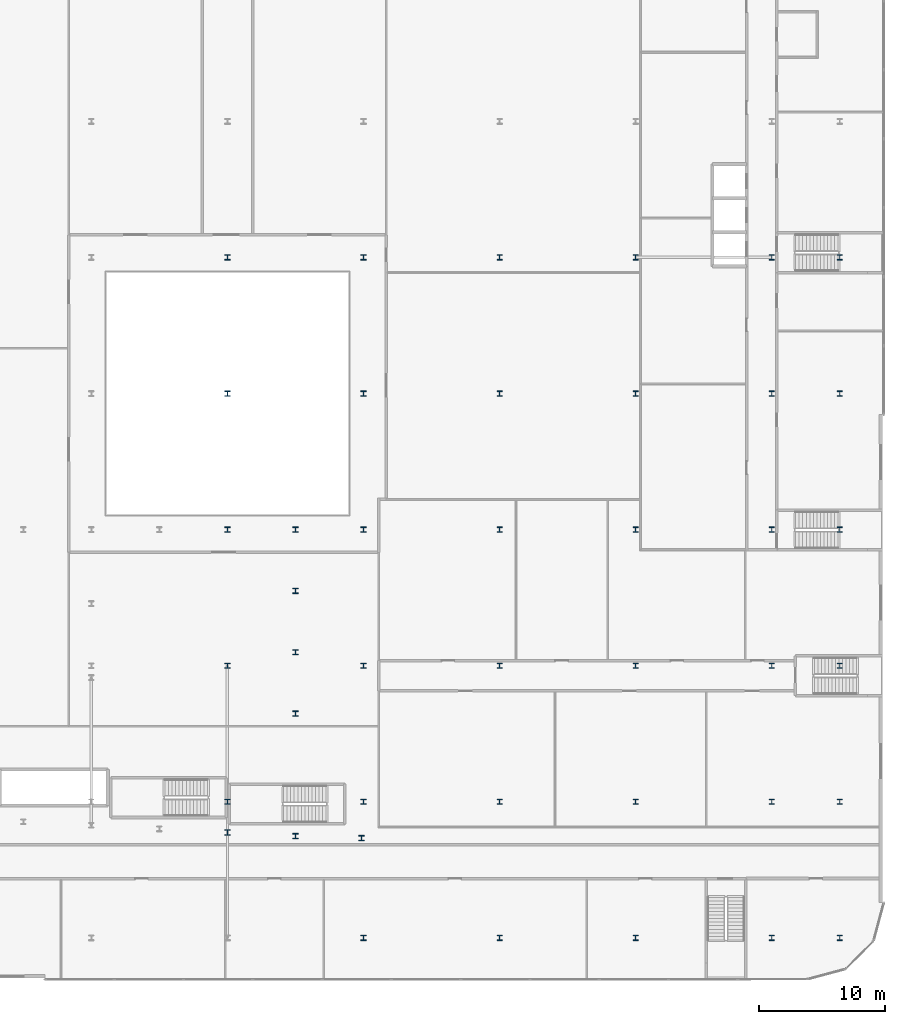
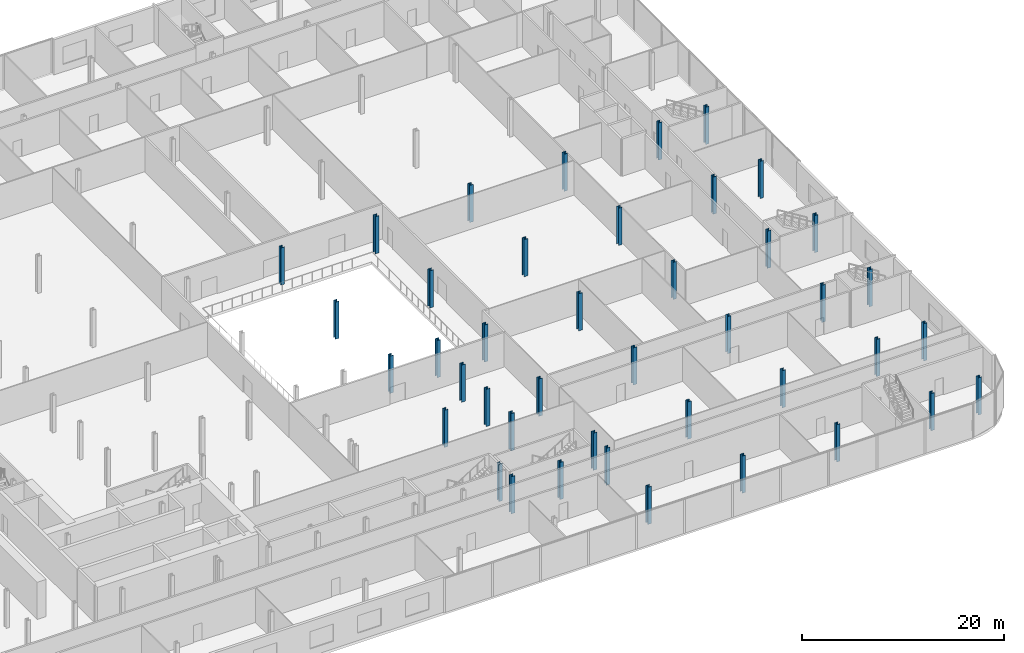
# One storey, part 3 of 47: 42 columns.
"""IFC4 building model written with IfcOpenShell, lengths in metres."""

from ifc_helpers import new_model, si_unit, direction, frame, origin, origin_2d, place, context, subcontext, project, spatial, i_section, extrude, material, material_profile, profile_set, type_object, element, save


model = new_model("IFC4")

# Units and contexts
model_context = context("Model", 3, precision=1e-05, world=origin(), true_north=direction((0.0, 1.0)))
body_context = subcontext(model_context, "Body", "Model", "MODEL_VIEW")
ifc_project = project(units=[si_unit("LENGTHUNIT", "METRE"), si_unit("AREAUNIT", "SQUARE_METRE"), si_unit("VOLUMEUNIT", "CUBIC_METRE"), si_unit("PLANEANGLEUNIT", "RADIAN"), si_unit("MASSUNIT", "GRAM", prefix="KILO")], contexts=[model_context])

# Site, building, storey
site_placement = place(None, origin())
site = spatial("IfcSite", under=ifc_project, at=site_placement, CompositionType="ELEMENT")
building_placement = place(site_placement, origin())
building = spatial("IfcBuilding", under=site, at=building_placement, Name="Kheshtan School and Residences Tower", CompositionType="ELEMENT")
storey_placement = place(building_placement, frame((0.0, 0.0, 17.0)))
storey = spatial("IfcBuildingStorey", under=building, at=storey_placement, Name="L03", CompositionType="ELEMENT", Elevation=17.0)

# Columns
ifc_material = material(Name="Steel ASTM A992 Grade 50", Category="steel")
ifc_material_profile = material_profile(ifc_material, i_section(OverallWidth=0.408935546875, OverallDepth=0.425048828125, WebThickness=0.03271484375, FlangeThickness=0.052490234375, FilletRadius=0.0126953125, at=origin_2d()), Name="W360x421")
ifc_profile_set = profile_set([ifc_material_profile], Name="Steel ASTM A992 Grade 50")
column_type = type_object("IfcColumnType", Name="Column PC2 W360x421 ASTM A992 Grade 50", PredefinedType="COLUMN", material=ifc_profile_set)
for number, where, z_axis, x_axis, name in (
    (1, (90.800048828125, 13.199951171875, 0.0), (0.0, 0.0, 1.0), (1.0, 0.0, 0.0), "Column P-008"),
    (2, (101.60009765625, 13.199951171875, 0.0), (0.0, 0.0, 1.0), (1.0, 0.0, 0.0), "Column P-009"),
    (3, (112.39990234375, 13.199951171875, 0.0), (0.0, 0.0, 1.0), (1.0, 0.0, 0.0), "Column P-010"),
    (4, (123.199951171875, 13.199951171875, 0.0), (0.0, 0.0, 1.0), (1.0, 0.0, 0.0), "Column P-011"),
    (5, (128.60009765625, 13.199951171875, 0.0), (0.0, 0.0, 1.0), (1.0, 0.0, 0.0), "Column P-012"),
    (6, (80.0, 24.0, 0.0), (0.0, 0.0, 1.0), (1.0, 0.0, 0.0), "Column P-019"),
    (7, (90.800048828125, 24.0, 0.0), (0.0, 0.0, 1.0), (1.0, 0.0, 0.0), "Column P-020"),
    (8, (101.60009765625, 24.0, 0.0), (0.0, 0.0, 1.0), (1.0, 0.0, 0.0), "Column P-021"),
    (9, (112.39990234375, 24.0, 0.0), (0.0, 0.0, 1.0), (1.0, 0.0, 0.0), "Column P-022"),
    (10, (123.199951171875, 24.0, 0.0), (0.0, 0.0, 1.0), (1.0, 0.0, 0.0), "Column P-023"),
    (11, (128.60009765625, 24.0, 0.0), (0.0, 0.0, 1.0), (1.0, 0.0, 0.0), "Column P-024"),
    (12, (80.0, 34.800048828125, 0.0), (0.0, 0.0, 1.0), (1.0, 0.0, 0.0), "Column P-031"),
    (13, (90.800048828125, 34.800048828125, 0.0), (0.0, 0.0, 1.0), (1.0, 0.0, 0.0), "Column P-032"),
    (14, (101.60009765625, 34.800048828125, 0.0), (0.0, 0.0, 1.0), (1.0, 0.0, 0.0), "Column P-033"),
    (15, (112.39990234375, 34.800048828125, 0.0), (0.0, 0.0, 1.0), (1.0, 0.0, 0.0), "Column P-034"),
    (16, (123.199951171875, 34.800048828125, 0.0), (0.0, 0.0, 1.0), (1.0, 0.0, 0.0), "Column P-035"),
    (17, (128.60009765625, 34.800048828125, 0.0), (0.0, 0.0, 1.0), (1.0, 0.0, 0.0), "Column P-036"),
    (18, (80.0, 45.60009765625, 0.0), (0.0, 0.0, 1.0), (1.0, 0.0, 0.0), "Column P-043"),
    (19, (90.800048828125, 45.60009765625, 0.0), (0.0, 0.0, 1.0), (1.0, 0.0, 0.0), "Column P-044"),
    (20, (101.60009765625, 45.60009765625, 0.0), (0.0, 0.0, 1.0), (1.0, 0.0, 0.0), "Column P-045"),
    (21, (112.39990234375, 45.60009765625, 0.0), (0.0, 0.0, 1.0), (1.0, 0.0, 0.0), "Column P-046"),
    (22, (123.199951171875, 45.60009765625, 0.0), (0.0, 0.0, 1.0), (1.0, 0.0, 0.0), "Column P-047"),
    (23, (128.60009765625, 45.60009765625, 0.0), (0.0, 0.0, 1.0), (1.0, 0.0, 0.0), "Column P-048"),
    (24, (80.0, 56.39990234375, 0.0), (0.0, 0.0, 1.0), (1.0, 0.0, 0.0), "Column P-055"),
    (25, (90.800048828125, 56.39990234375, 0.0), (0.0, 0.0, 1.0), (1.0, 0.0, 0.0), "Column P-056"),
    (26, (101.60009765625, 56.39990234375, 0.0), (0.0, 0.0, 1.0), (1.0, 0.0, 0.0), "Column P-057"),
    (27, (112.39990234375, 56.39990234375, 0.0), (0.0, 0.0, 1.0), (1.0, 0.0, 0.0), "Column P-058"),
    (28, (123.199951171875, 56.39990234375, 0.0), (0.0, 0.0, 1.0), (1.0, 0.0, 0.0), "Column P-059"),
    (29, (128.60009765625, 56.39990234375, 0.0), (0.0, 0.0, 1.0), (1.0, 0.0, 0.0), "Column P-060"),
    (30, (80.0, 67.199951171875, 0.0), (0.0, 0.0, 1.0), (1.0, 0.0, 0.0), "Column P-067"),
    (31, (90.800048828125, 67.199951171875, 0.0), (0.0, 0.0, 1.0), (1.0, 0.0, 0.0), "Column P-068"),
    (32, (101.60009765625, 67.199951171875, 0.0), (0.0, 0.0, 1.0), (1.0, 0.0, 0.0), "Column P-069"),
    (33, (112.39990234375, 67.199951171875, 0.0), (0.0, 0.0, 1.0), (1.0, 0.0, 0.0), "Column P-070"),
    (34, (123.199951171875, 67.199951171875, 0.0), (0.0, 0.0, 1.0), (1.0, 0.0, 0.0), "Column P-071"),
    (35, (128.60009765625, 67.199951171875, 0.0), (0.0, 0.0, 1.0), (1.0, 0.0, 0.0), "Column P-072"),
    (36, (90.639892578125, 21.110107421875, 0.0), (0.0, 0.0, 1.0), (1.0, 0.0, 0.0), "Transfer column X01"),
    (37, (85.39990234375, 21.27001953125, 0.0), (0.0, 0.0, 1.0), (1.0, 0.0, 0.0), "Transfer column X02"),
    (38, (80.0, 21.56005859375, 0.0), (0.0, 0.0, 1.0), (1.0, 0.0, 0.0), "Transfer column X03"),
    (39, (85.39990234375, 45.60009765625, 0.0), (0.0, 0.0, 1.0), (1.0, 0.0, 0.0), "Transfer column X19"),
    (40, (85.39990234375, 31.0, 0.0), (0.0, 0.0, 1.0), (1.0, 0.0, 0.0), "Transfer column X35"),
    (41, (85.39990234375, 35.8701171875, 0.0), (0.0, 0.0, 1.0), (1.0, 0.0, 0.0), "Transfer column X38"),
    (42, (85.39990234375, 40.72998046875, 0.0), (0.0, 0.0, 1.0), (1.0, 0.0, 0.0), "Transfer column X41"),
):
    element("IfcColumn", number, at=place(storey_placement, frame(where, z_axis=z_axis, x_axis=x_axis)), inside=storey, type_object=column_type, Name=name, PredefinedType="COLUMN", context=body_context, shape_type="SweptSolid", body=[
        extrude(i_section(OverallWidth=0.408935546875, OverallDepth=0.425048828125, WebThickness=0.03271484375, FlangeThickness=0.052490234375, FilletRadius=0.0126953125, at=origin_2d()), origin(), (0.0, 0.0, 1.0), 4.5),
    ])

save(model, "model.ifc")
